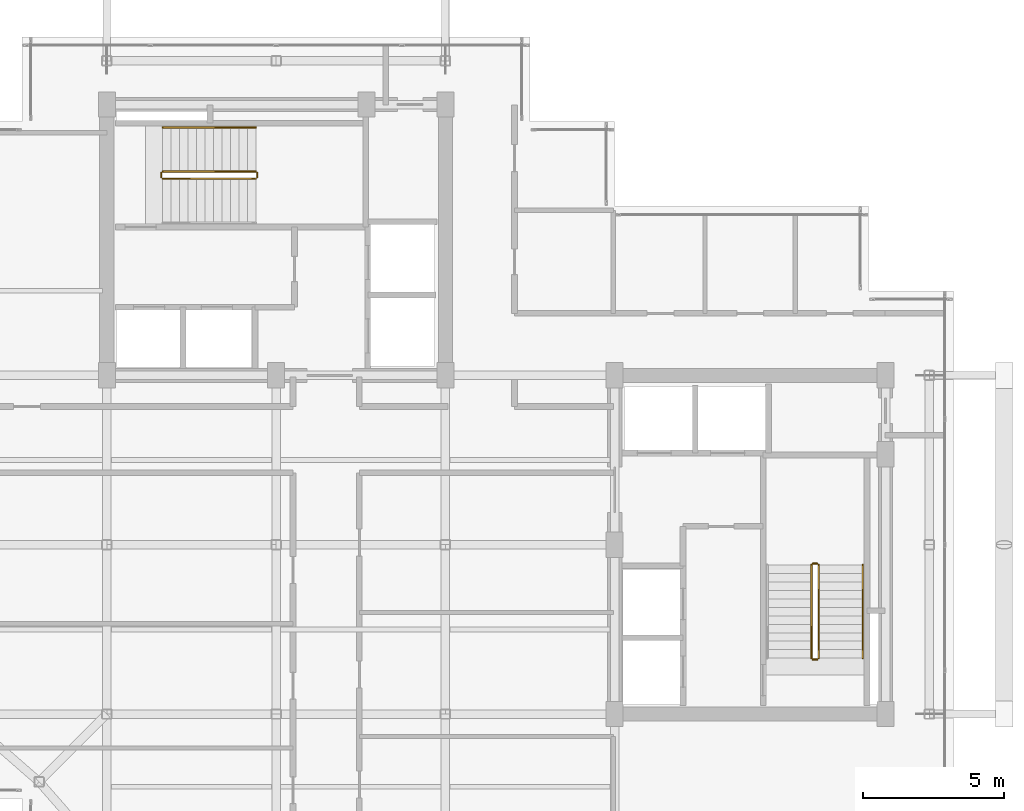
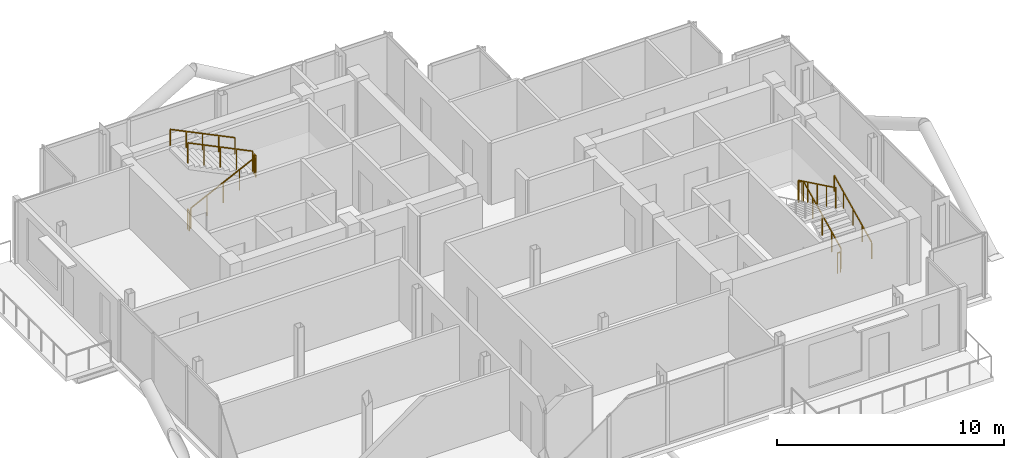
# One storey, part 19 of 19: 10 railings.
"""IFC4 building model written with IfcOpenShell, lengths in metres."""

from ifc_helpers import new_model, si_unit, direction, frame, origin, origin_2d, place, context, subcontext, project, spatial, rectangle, extrude, material, type_object, element, save


model = new_model("IFC4")

# Units and contexts
model_context = context("Model", 3, precision=1e-05, world=origin(), true_north=direction((0.0, 1.0)))
body_context = subcontext(model_context, "Body", "Model", "MODEL_VIEW")
ifc_project = project(units=[si_unit("LENGTHUNIT", "METRE"), si_unit("AREAUNIT", "SQUARE_METRE"), si_unit("VOLUMEUNIT", "CUBIC_METRE"), si_unit("PLANEANGLEUNIT", "RADIAN"), si_unit("MASSUNIT", "GRAM", prefix="KILO"), si_unit("THERMODYNAMICTEMPERATUREUNIT", "KELVIN"), si_unit("POWERUNIT", "WATT")], contexts=[model_context])

# Site, building, storey
site_placement = place(None, origin())
site = spatial("IfcSite", under=ifc_project, at=site_placement, CompositionType="ELEMENT")
building_placement = place(site_placement, origin())
building = spatial("IfcBuilding", under=site, at=building_placement, Name="Svarakhadi Broadcast Tower", CompositionType="ELEMENT")
storey_placement = place(building_placement, frame((0.0, 0.0, 271.199951171875)))
storey = spatial("IfcBuildingStorey", under=building, at=storey_placement, Name="L68", CompositionType="ELEMENT", Elevation=271.199951171875)

# Railings
ifc_material = material(Name="Anodised Bronze Aluminium AA 6063-T6", Category="aluminium")
railing_type_1 = type_object("IfcRailingType", Name="Guard_Stair_GR01", PredefinedType="GUARDRAIL", material=ifc_material)
railing_1_placement = place(storey_placement, frame((7.97998046875, 24.969970703125, 0.14599609375)))
element("IfcRailing", 1, at=railing_1_placement, inside=storey, type_object=railing_type_1, Name="L68 ST-01 stair guard 1", PredefinedType="GUARDRAIL", context=body_context, shape_type="SweptSolid", body=[
    extrude(rectangle(XDim=0.048095703125, YDim=0.048095703125, at=origin_2d()), frame((0.0, 0.0, 1.09619140625), z_axis=(0.899387838337, 0.0, 0.437151594131), x_axis=(0.0, 1.0, 0.0)), (0.0, 0.0, 1.0), 3.669189453125),
    extrude(rectangle(XDim=0.0419921875, YDim=0.0419921875, at=origin_2d()), origin(), (0.0, 0.0, 1.0), 1.072021484375),
    extrude(rectangle(XDim=0.0419921875, YDim=0.0419921875, at=origin_2d()), frame((0.824951171875, 0.0, 0.40087890625)), (0.0, 0.0, 1.0), 1.072021484375),
    extrude(rectangle(XDim=0.0419921875, YDim=0.0419921875, at=origin_2d()), frame((1.64990234375, 0.0, 0.802001953125)), (0.0, 0.0, 1.0), 1.072021484375),
    extrude(rectangle(XDim=0.0419921875, YDim=0.0419921875, at=origin_2d()), frame((2.47509765625, 0.0, 1.203125)), (0.0, 0.0, 1.0), 1.072021484375),
    extrude(rectangle(XDim=0.0419921875, YDim=0.0419921875, at=origin_2d()), frame((3.300048828125, 0.0, 1.60400390625)), (0.0, 0.0, 1.0), 1.072021484375),
])
railing_2_placement = place(storey_placement, frame((11.330078125, 25.02001953125, 1.75)))
element("IfcRailing", 2, at=railing_2_placement, inside=storey, type_object=railing_type_1, Name="L68 ST-01 stair guard 2", PredefinedType="GUARDRAIL", context=body_context, shape_type="SweptSolid", body=[
    extrude(rectangle(XDim=0.048095703125, YDim=0.048095703125, at=origin_2d()), frame((0.0, 0.0, 1.09619140625), z_axis=(0.0, 1.0, 0.0), x_axis=(-1.0, 0.0, 0.0)), (0.0, 0.0, 1.0), 0.159912109375),
    extrude(rectangle(XDim=0.0419921875, YDim=0.0419921875, at=origin_2d()), origin(), (0.0, 0.0, 1.0), 1.072021484375),
    extrude(rectangle(XDim=0.0419921875, YDim=0.0419921875, at=origin_2d()), frame((0.0, 0.159912109375, 0.0)), (0.0, 0.0, 1.0), 1.072021484375),
])
railing_3_placement = place(storey_placement, frame((11.280029296875, 25.22998046875, 1.89599609375)))
element("IfcRailing", 3, at=railing_3_placement, inside=storey, type_object=railing_type_1, Name="L68 ST-01 stair guard 3", PredefinedType="GUARDRAIL", context=body_context, shape_type="SweptSolid", body=[
    extrude(rectangle(XDim=0.048095703125, YDim=0.048095703125, at=origin_2d()), frame((0.0, 0.0, 1.09619140625), z_axis=(-0.899387838337, 0.0, 0.437151594131), x_axis=(0.0, -1.0, 0.0)), (0.0, 0.0, 1.0), 3.669189453125),
    extrude(rectangle(XDim=0.0419921875, YDim=0.0419921875, at=origin_2d()), origin(), (0.0, 0.0, 1.0), 1.072021484375),
    extrude(rectangle(XDim=0.0419921875, YDim=0.0419921875, at=origin_2d()), frame((-0.824951171875, 0.0, 0.40087890625)), (0.0, 0.0, 1.0), 1.072021484375),
    extrude(rectangle(XDim=0.0419921875, YDim=0.0419921875, at=origin_2d()), frame((-1.64990234375, 0.0, 0.802001953125)), (0.0, 0.0, 1.0), 1.072021484375),
    extrude(rectangle(XDim=0.0419921875, YDim=0.0419921875, at=origin_2d()), frame((-2.47509765625, 0.0, 1.203125)), (0.0, 0.0, 1.0), 1.072021484375),
    extrude(rectangle(XDim=0.0419921875, YDim=0.0419921875, at=origin_2d()), frame((-3.300048828125, 0.0, 1.60400390625)), (0.0, 0.0, 1.0), 1.072021484375),
])
railing_4_placement = place(storey_placement, frame((7.929931640625, 25.02001953125, 0.0)))
element("IfcRailing", 4, at=railing_4_placement, inside=storey, type_object=railing_type_1, Name="L68 ST-01 stair guard 4", PredefinedType="GUARDRAIL", context=body_context, shape_type="SweptSolid", body=[
    extrude(rectangle(XDim=0.048095703125, YDim=0.048095703125, at=origin_2d()), frame((0.0, 0.0, 1.09619140625), z_axis=(0.0, 1.0, 0.0), x_axis=(-1.0, 0.0, 0.0)), (0.0, 0.0, 1.0), 0.159912109375),
    extrude(rectangle(XDim=0.0419921875, YDim=0.0419921875, at=origin_2d()), origin(), (0.0, 0.0, 1.0), 1.072021484375),
    extrude(rectangle(XDim=0.0419921875, YDim=0.0419921875, at=origin_2d()), frame((0.0, 0.159912109375, 0.0)), (0.0, 0.0, 1.0), 1.072021484375),
])
railing_5_placement = place(storey_placement, frame((31.22998046875, 7.97998046875, 0.14599609375)))
element("IfcRailing", 5, at=railing_5_placement, inside=storey, type_object=railing_type_1, Name="L68 ST-02 stair guard 1", PredefinedType="GUARDRAIL", context=body_context, shape_type="SweptSolid", body=[
    extrude(rectangle(XDim=0.048095703125, YDim=0.048095703125, at=origin_2d()), frame((0.0, 0.0, 1.09619140625), z_axis=(0.0, 0.899387838337, 0.437151594131), x_axis=(-1.0, 0.0, 0.0)), (0.0, 0.0, 1.0), 3.669189453125),
    extrude(rectangle(XDim=0.0419921875, YDim=0.0419921875, at=origin_2d()), origin(), (0.0, 0.0, 1.0), 1.072021484375),
    extrude(rectangle(XDim=0.0419921875, YDim=0.0419921875, at=origin_2d()), frame((0.0, 0.824951171875, 0.40087890625)), (0.0, 0.0, 1.0), 1.072021484375),
    extrude(rectangle(XDim=0.0419921875, YDim=0.0419921875, at=origin_2d()), frame((0.0, 1.64990234375, 0.802001953125)), (0.0, 0.0, 1.0), 1.072021484375),
    extrude(rectangle(XDim=0.0419921875, YDim=0.0419921875, at=origin_2d()), frame((0.0, 2.47509765625, 1.203125)), (0.0, 0.0, 1.0), 1.072021484375),
    extrude(rectangle(XDim=0.0419921875, YDim=0.0419921875, at=origin_2d()), frame((0.0, 3.300048828125, 1.60400390625)), (0.0, 0.0, 1.0), 1.072021484375),
])
railing_6_placement = place(storey_placement, frame((31.179931640625, 11.330078125, 1.75)))
element("IfcRailing", 6, at=railing_6_placement, inside=storey, type_object=railing_type_1, Name="L68 ST-02 stair guard 2", PredefinedType="GUARDRAIL", context=body_context, shape_type="SweptSolid", body=[
    extrude(rectangle(XDim=0.048095703125, YDim=0.048095703125, at=origin_2d()), frame((0.0, 0.0, 1.09619140625), z_axis=(-1.0, 0.0, 0.0), x_axis=(0.0, -1.0, 0.0)), (0.0, 0.0, 1.0), 0.159912109375),
    extrude(rectangle(XDim=0.0419921875, YDim=0.0419921875, at=origin_2d()), origin(), (0.0, 0.0, 1.0), 1.072021484375),
    extrude(rectangle(XDim=0.0419921875, YDim=0.0419921875, at=origin_2d()), frame((-0.159912109375, 0.0, 0.0)), (0.0, 0.0, 1.0), 1.072021484375),
])
railing_7_placement = place(storey_placement, frame((30.969970703125, 11.280029296875, 1.89599609375)))
element("IfcRailing", 7, at=railing_7_placement, inside=storey, type_object=railing_type_1, Name="L68 ST-02 stair guard 3", PredefinedType="GUARDRAIL", context=body_context, shape_type="SweptSolid", body=[
    extrude(rectangle(XDim=0.048095703125, YDim=0.048095703125, at=origin_2d()), frame((0.0, 0.0, 1.09619140625), z_axis=(0.0, -0.899387838337, 0.437151594131), x_axis=(1.0, 0.0, 0.0)), (0.0, 0.0, 1.0), 3.669189453125),
    extrude(rectangle(XDim=0.0419921875, YDim=0.0419921875, at=origin_2d()), origin(), (0.0, 0.0, 1.0), 1.072021484375),
    extrude(rectangle(XDim=0.0419921875, YDim=0.0419921875, at=origin_2d()), frame((0.0, -0.824951171875, 0.40087890625)), (0.0, 0.0, 1.0), 1.072021484375),
    extrude(rectangle(XDim=0.0419921875, YDim=0.0419921875, at=origin_2d()), frame((0.0, -1.64990234375, 0.802001953125)), (0.0, 0.0, 1.0), 1.072021484375),
    extrude(rectangle(XDim=0.0419921875, YDim=0.0419921875, at=origin_2d()), frame((0.0, -2.47509765625, 1.203125)), (0.0, 0.0, 1.0), 1.072021484375),
    extrude(rectangle(XDim=0.0419921875, YDim=0.0419921875, at=origin_2d()), frame((0.0, -3.300048828125, 1.60400390625)), (0.0, 0.0, 1.0), 1.072021484375),
])
railing_8_placement = place(storey_placement, frame((31.179931640625, 7.929931640625, 0.0)))
element("IfcRailing", 8, at=railing_8_placement, inside=storey, type_object=railing_type_1, Name="L68 ST-02 stair guard 4", PredefinedType="GUARDRAIL", context=body_context, shape_type="SweptSolid", body=[
    extrude(rectangle(XDim=0.048095703125, YDim=0.048095703125, at=origin_2d()), frame((0.0, 0.0, 1.09619140625), z_axis=(-1.0, 0.0, 0.0), x_axis=(0.0, -1.0, 0.0)), (0.0, 0.0, 1.0), 0.159912109375),
    extrude(rectangle(XDim=0.0419921875, YDim=0.0419921875, at=origin_2d()), origin(), (0.0, 0.0, 1.0), 1.072021484375),
    extrude(rectangle(XDim=0.0419921875, YDim=0.0419921875, at=origin_2d()), frame((-0.159912109375, 0.0, 0.0)), (0.0, 0.0, 1.0), 1.072021484375),
])
railing_type_2 = type_object("IfcRailingType", Name="Handrail_Stair_HR01", PredefinedType="HANDRAIL", material=ifc_material)
railing_9_placement = place(storey_placement, frame((11.280029296875, 26.7900390625, 1.89599609375)))
element("IfcRailing", 9, at=railing_9_placement, inside=storey, type_object=railing_type_2, Name="L68 ST-01 stair handrail 2", PredefinedType="HANDRAIL", context=body_context, shape_type="SweptSolid", body=[
    extrude(rectangle(XDim=0.048095703125, YDim=0.048095703125, at=origin_2d()), frame((0.0, 0.0, 0.8759765625), z_axis=(-0.899387838337, 0.0, 0.437151594131), x_axis=(0.0, -1.0, 0.0)), (0.0, 0.0, 1.0), 3.669189453125),
    extrude(rectangle(XDim=0.0419921875, YDim=0.0419921875, at=origin_2d()), origin(), (0.0, 0.0, 1.0), 0.851806640625),
    extrude(rectangle(XDim=0.0419921875, YDim=0.0419921875, at=origin_2d()), frame((-0.824951171875, 0.0, 0.40087890625)), (0.0, 0.0, 1.0), 0.851806640625),
    extrude(rectangle(XDim=0.0419921875, YDim=0.0419921875, at=origin_2d()), frame((-1.64990234375, 0.0, 0.802001953125)), (0.0, 0.0, 1.0), 0.851806640625),
    extrude(rectangle(XDim=0.0419921875, YDim=0.0419921875, at=origin_2d()), frame((-2.47509765625, 0.0, 1.203125)), (0.0, 0.0, 1.0), 0.851806640625),
    extrude(rectangle(XDim=0.0419921875, YDim=0.0419921875, at=origin_2d()), frame((-3.300048828125, 0.0, 1.60400390625)), (0.0, 0.0, 1.0), 0.851806640625),
])
railing_10_placement = place(storey_placement, frame((32.7900390625, 7.97998046875, 0.14599609375)))
element("IfcRailing", 10, at=railing_10_placement, inside=storey, type_object=railing_type_2, Name="L68 ST-02 stair handrail 1", PredefinedType="HANDRAIL", context=body_context, shape_type="SweptSolid", body=[
    extrude(rectangle(XDim=0.048095703125, YDim=0.048095703125, at=origin_2d()), frame((0.0, 0.0, 0.8759765625), z_axis=(0.0, 0.899387838337, 0.437151594131), x_axis=(-1.0, 0.0, 0.0)), (0.0, 0.0, 1.0), 3.669189453125),
    extrude(rectangle(XDim=0.0419921875, YDim=0.0419921875, at=origin_2d()), origin(), (0.0, 0.0, 1.0), 0.851806640625),
    extrude(rectangle(XDim=0.0419921875, YDim=0.0419921875, at=origin_2d()), frame((0.0, 0.824951171875, 0.40087890625)), (0.0, 0.0, 1.0), 0.851806640625),
    extrude(rectangle(XDim=0.0419921875, YDim=0.0419921875, at=origin_2d()), frame((0.0, 1.64990234375, 0.802001953125)), (0.0, 0.0, 1.0), 0.851806640625),
    extrude(rectangle(XDim=0.0419921875, YDim=0.0419921875, at=origin_2d()), frame((0.0, 2.47509765625, 1.203125)), (0.0, 0.0, 1.0), 0.851806640625),
    extrude(rectangle(XDim=0.0419921875, YDim=0.0419921875, at=origin_2d()), frame((0.0, 3.300048828125, 1.60400390625)), (0.0, 0.0, 1.0), 0.851806640625),
])

save(model, "model.ifc")
